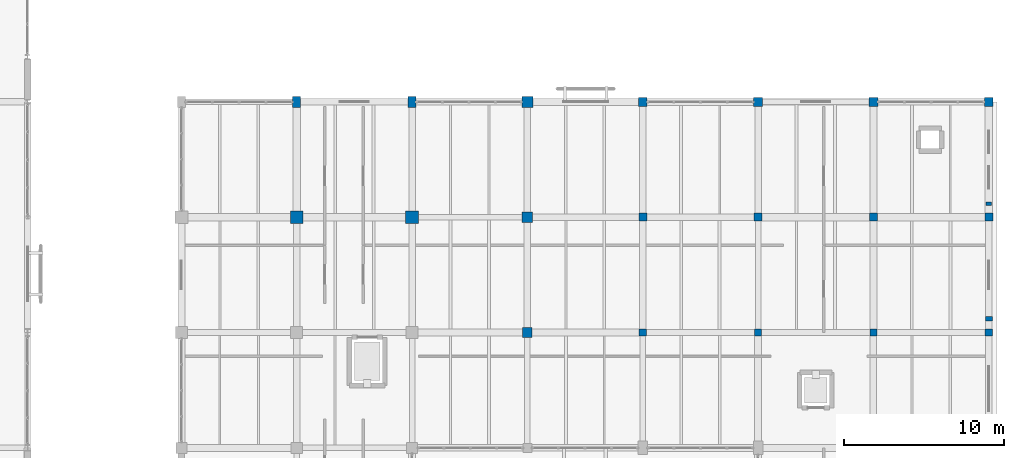
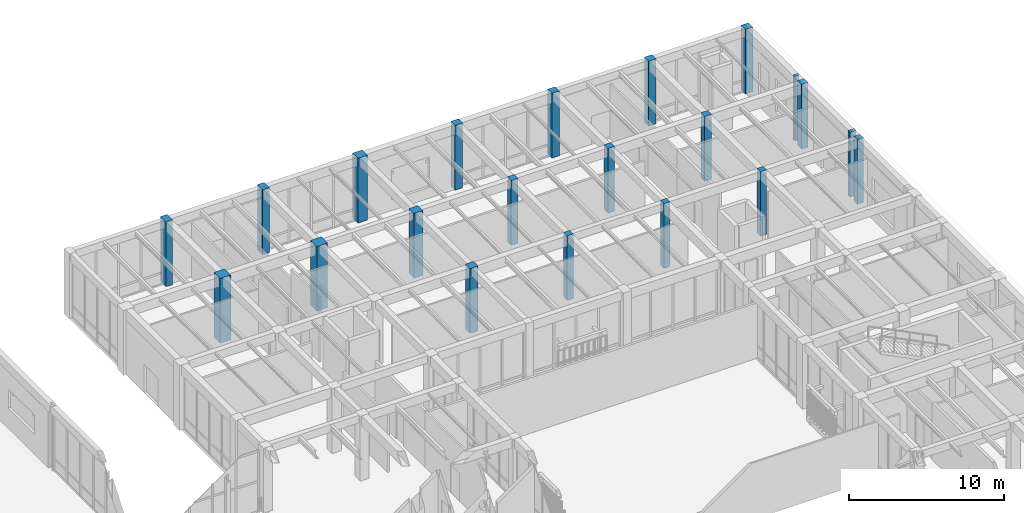
# One storey, part 17 of 169: 21 columns.
"""IFC4 building model written with IfcOpenShell, lengths in metres."""

import ifcopenshell
import ifcopenshell.guid

model = None  # the IFC model being written
_history = None  # IfcOwnerHistory: only IFC2X3 demands one
_inside = {}  # id of a spatial element -> (the spatial element, [elements in it])
_under = {}  # id of a project, library or spatial element -> (it, [spatial elements below it])
_declared = {}  # id of a project -> (the project, [libraries it declares])
_typed = {}  # id of a type object -> (the type object, [elements of that type])
_made_of = {}  # id of a material, layer set ... -> (it, [elements and type objects made of it])


def new_model(schema):
    """Start an empty IFC model of exactly this schema.

    Asked for "IFC4X3", IfcOpenShell would pick the latest addendum, in which some entities
    have other attributes; the version numbers below select the first issue.
    IFC2X3 requires an IfcOwnerHistory on every rooted entity: one is made here for all.
    """
    global model, _history
    if schema == "IFC4X3":
        model = ifcopenshell.file(schema_version=(4, 3, 0, 0))
    else:
        model = ifcopenshell.file(schema=schema)
    _inside.clear()
    _under.clear()
    _declared.clear()
    _typed.clear()
    _made_of.clear()
    _history = None
    if model.schema == "IFC2X3":
        org = make("IfcOrganization", Name="unknown")
        user = make(
            "IfcPersonAndOrganization",
            ThePerson=make("IfcPerson", FamilyName="unknown"),
            TheOrganization=org,
        )
        app = make(
            "IfcApplication",
            ApplicationDeveloper=org,
            Version="unknown",
            ApplicationFullName="unknown",
            ApplicationIdentifier="unknown",
        )
        _history = make(
            "IfcOwnerHistory",
            OwningUser=user,
            OwningApplication=app,
            ChangeAction="ADDED",
            CreationDate=0,
        )
    return model


def make(cls, **values):
    """One entity of the class cls with the attributes given. An attribute that is None is left unset."""
    return model.create_entity(
        cls, **{name: value for name, value in values.items() if value is not None}
    )


def rooted(cls, **values):
    """An entity with a GlobalId (a new one), such as an element, a storey or a relation."""
    return make(cls, GlobalId=ifcopenshell.guid.new(), OwnerHistory=_history, **values)


def si_unit(unit_type, name, prefix=None):
    """IfcSIUnit, for example si_unit("LENGTHUNIT", "METRE", prefix="MILLI")."""
    return make("IfcSIUnit", UnitType=unit_type, Prefix=prefix, Name=name)


def assignment(units):
    """IfcUnitAssignment: the units of a project."""
    return None if units is None else make("IfcUnitAssignment", Units=units)


def point(xyz):
    """IfcCartesianPoint."""
    return None if xyz is None else make("IfcCartesianPoint", Coordinates=xyz)


def direction(xyz):
    """IfcDirection."""
    return None if xyz is None else make("IfcDirection", DirectionRatios=xyz)


def frame(location, z_axis=None, x_axis=None):
    """IfcAxis2Placement3D, a coordinate frame: its origin and axes. An axis left out is left unset."""
    return make(
        "IfcAxis2Placement3D",
        Location=point(location),
        Axis=direction(z_axis),
        RefDirection=direction(x_axis),
    )


def frame_2d(location, x_axis=None):
    """IfcAxis2Placement2D, a coordinate frame in the plane: its origin and x axis."""
    return make(
        "IfcAxis2Placement2D", Location=point(location), RefDirection=direction(x_axis)
    )


def origin():
    """The frame at (0, 0, 0) with its axes left unset."""
    return frame((0.0, 0.0, 0.0))


def origin_2d():
    """The frame at (0, 0) in the plane with its x axis left unset."""
    return frame_2d((0.0, 0.0))


def place(relative_to, where):
    """IfcLocalPlacement: puts the frame where relative to a parent placement (None: the world)."""
    return make(
        "IfcLocalPlacement", PlacementRelTo=relative_to, RelativePlacement=where
    )


def context(
    kind, dimensions, precision=None, world=None, true_north=None, identifier=None
):
    """IfcGeometricRepresentationContext, for example the 3D "Model" context."""
    return make(
        "IfcGeometricRepresentationContext",
        ContextIdentifier=identifier,
        ContextType=kind,
        CoordinateSpaceDimension=dimensions,
        Precision=precision,
        WorldCoordinateSystem=world,
        TrueNorth=true_north,
    )


def subcontext(parent, identifier, kind, view, scale=None):
    """IfcGeometricRepresentationSubContext, for example "Body" below "Model"."""
    return make(
        "IfcGeometricRepresentationSubContext",
        ContextIdentifier=identifier,
        ContextType=kind,
        ParentContext=parent,
        TargetScale=scale,
        TargetView=view,
    )


def project(units=None, contexts=None):
    """IfcProject with its units and contexts."""
    return rooted(
        "IfcProject",
        Name="project",
        RepresentationContexts=contexts,
        UnitsInContext=assignment(units),
    )


def spatial(cls, under=None, at=None, **own):
    """A site, building, storey or space (cls), placed at a placement, below another one or the project."""
    s = rooted(cls, ObjectPlacement=at, **own)
    if under is not None:
        _under.setdefault(under.id(), (under, []))[1].append(s)
    return s


def profile(cls, at=None, kind="AREA", **sizes):
    """A parametric profile (cls). Its sizes go by their IFC names, for example OverallWidth=200.0."""
    return make(cls, ProfileType=kind, Position=at, **sizes)


def rectangle(**sizes):
    """IfcRectangleProfileDef."""
    return profile("IfcRectangleProfileDef", **sizes)


def extrude(swept, where, along, depth):
    """IfcExtrudedAreaSolid: the profile swept, set in the frame where, extruded along a direction by depth."""
    return make(
        "IfcExtrudedAreaSolid",
        SweptArea=swept,
        Position=where,
        ExtrudedDirection=direction(along),
        Depth=depth,
    )


def shape(context_of_items, identifier, shape_type, items):
    """IfcShapeRepresentation: the items that make up one representation, for example the "Body"."""
    return make(
        "IfcShapeRepresentation",
        ContextOfItems=context_of_items,
        RepresentationIdentifier=identifier,
        RepresentationType=shape_type,
        Items=items,
    )


def material(Name=None, Category=None):
    """IfcMaterial."""
    return make("IfcMaterial", Name=Name, Category=Category)


def material_profile(
    of_material, cross_section, Name=None, Category=None, Priority=None
):
    """IfcMaterialProfile: a cross section and its material."""
    return make(
        "IfcMaterialProfile",
        Name=Name,
        Material=of_material,
        Profile=cross_section,
        Priority=Priority,
        Category=Category,
    )


def profile_set(profiles, Name=None, composite=None):
    """IfcMaterialProfileSet."""
    return make(
        "IfcMaterialProfileSet",
        Name=Name,
        MaterialProfiles=profiles,
        CompositeProfile=composite,
    )


def made_of(thing, what):
    """Note that an element or type object is made of a material, layer set ...; save() writes the relation."""
    if what is not None:
        _made_of.setdefault(what.id(), (what, []))[1].append(thing)
    return thing


def type_object(cls, material=None, **own):
    """A type object (cls), such as IfcWallType, which elements share."""
    return made_of(rooted(cls, **own), material)


def element(
    cls,
    number,
    at=None,
    inside=None,
    cuts=None,
    type_object=None,
    material=None,
    context=None,
    identifier="Body",
    shape_type=None,
    held_by="IfcProductDefinitionShape",
    body=None,
    shapes=None,
    **own,
):
    """One element of the class cls, such as IfcWall. Its Tag is "e" and its number.

    at: its placement. inside: the storey or other place that contains it. cuts: it is an
    opening in that element (IfcRelVoidsElement). A single representation is given by context,
    identifier, shape_type and body (its items); several are given by shapes. held_by: the class
    of the entity that holds the representations. save() writes the other relations.
    """
    e = rooted(cls, Tag="e%d" % number, ObjectPlacement=at, **own)
    if body is not None:
        shapes = [shape(context, identifier, shape_type, body)]
    if shapes is not None:
        e.Representation = make(held_by, Representations=shapes)
    if inside is not None:
        _inside.setdefault(inside.id(), (inside, []))[1].append(e)
    if cuts is not None:
        rooted(
            "IfcRelVoidsElement", RelatingBuildingElement=cuts, RelatedOpeningElement=e
        )
    if type_object is not None:
        _typed.setdefault(type_object.id(), (type_object, []))[1].append(e)
    return made_of(e, material)


def aggregate(whole, parts):
    """IfcRelAggregates: a whole, such as a stair, and the parts it consists of."""
    return rooted("IfcRelAggregates", RelatingObject=whole, RelatedObjects=parts)


def save(model, path):
    """Write the relations noted so far, then the file.

    IfcRelAggregates (storeys below a building ...), IfcRelContainedInSpatialStructure (elements
    in a storey), IfcRelDefinesByType, IfcRelAssociatesMaterial and IfcRelDeclares: one each for
    every whole, place, type object, material and project.
    """
    for whole, parts in _under.values():
        aggregate(whole, parts)
    for where, things in _inside.values():
        rooted(
            "IfcRelContainedInSpatialStructure",
            RelatedElements=things,
            RelatingStructure=where,
        )
    for kind, things in _typed.values():
        rooted("IfcRelDefinesByType", RelatedObjects=things, RelatingType=kind)
    for what, things in _made_of.values():
        rooted("IfcRelAssociatesMaterial", RelatedObjects=things, RelatingMaterial=what)
    for by, libraries in _declared.values():
        rooted("IfcRelDeclares", RelatingContext=by, RelatedDefinitions=libraries)
    model.write(path)


model = new_model("IFC4")

# Units and contexts
model_context = context("Model", 3, precision=1e-05, world=origin(), true_north=direction((0.0, 1.0)))
body_context = subcontext(model_context, "Body", "Model", "MODEL_VIEW")
ifc_project = project(units=[si_unit("LENGTHUNIT", "METRE"), si_unit("AREAUNIT", "SQUARE_METRE"), si_unit("VOLUMEUNIT", "CUBIC_METRE"), si_unit("PLANEANGLEUNIT", "RADIAN"), si_unit("MASSUNIT", "GRAM", prefix="KILO")], contexts=[model_context])

# Site, building, storey
site_placement = place(None, origin())
site = spatial("IfcSite", under=ifc_project, at=site_placement, CompositionType="ELEMENT")
building_placement = place(site_placement, origin())
building = spatial("IfcBuilding", under=site, at=building_placement, Name="Mazaris Harbour Polytechnic", CompositionType="ELEMENT")
storey_placement = place(building_placement, origin())
storey = spatial("IfcBuildingStorey", under=building, at=storey_placement, Name="L00", CompositionType="ELEMENT", Elevation=0.0)

# Columns
ifc_material_1 = material(Name="Concrete C35/45", Category="concrete")
ifc_material_profile_1 = material_profile(ifc_material_1, rectangle(XDim=0.320068359375, YDim=0.219970703125, at=origin_2d()), Name="RECT320x220")
ifc_profile_set_1 = profile_set([ifc_material_profile_1], Name="Concrete C35/45")
column_type_1 = type_object("IfcColumnType", Name="Limestone Pilaster 320x220", PredefinedType="PILASTER", material=ifc_profile_set_1)
column_1_placement = place(storey_placement, frame((172.800048828125, 101.64990234375, 0.0), z_axis=(0.0, 0.0, 1.0), x_axis=(1.0, 0.0, 0.0)))
element("IfcColumn", 1, at=column_1_placement, inside=storey, type_object=column_type_1, Name="V5 L00 Giant Order Pilaster 64", PredefinedType="PILASTER", context=body_context, shape_type="SweptSolid", body=[
    extrude(rectangle(XDim=0.320068359375, YDim=0.219970703125, at=origin_2d()), origin(), (0.0, 0.0, 1.0), 5.10009765625),
])
ifc_material_2 = material(Name="Concrete C35/45", Category="concrete")
ifc_material_profile_2 = material_profile(ifc_material_2, rectangle(XDim=0.43994140625, YDim=0.280029296875, at=origin_2d()), Name="RECT440x280")
ifc_profile_set_2 = profile_set([ifc_material_profile_2], Name="Concrete C35/45")
column_type_2 = type_object("IfcColumnType", Name="Limestone Pilaster 440x280", PredefinedType="PILASTER", material=ifc_profile_set_2)
column_2_placement = place(storey_placement, frame((172.800048828125, 94.449951171875, 0.0), z_axis=(0.0, 0.0, 1.0), x_axis=(1.0, 0.0, 0.0)))
element("IfcColumn", 2, at=column_2_placement, inside=storey, type_object=column_type_2, Name="V5 L00 Giant Order Pilaster 63", PredefinedType="PILASTER", context=body_context, shape_type="SweptSolid", body=[
    extrude(rectangle(XDim=0.43994140625, YDim=0.280029296875, at=origin_2d()), origin(), (0.0, 0.0, 1.0), 5.10009765625),
])
ifc_material_3 = material(Name="Concrete C40/50", Category="concrete")
ifc_material_profile_3 = material_profile(ifc_material_3, rectangle(XDim=0.449951171875, YDim=0.449951171875, at=origin_2d()), Name="RECT450x450")
ifc_profile_set_3 = profile_set([ifc_material_profile_3], Name="Concrete C40/50")
column_type_3 = type_object("IfcColumnType", Name="RC Column 450x450", PredefinedType="COLUMN", material=ifc_profile_set_3)
for number, where, z_axis, x_axis, name in (
    (3, (151.199951171875, 93.60009765625, 0.0), (0.0, 0.0, 1.0), (1.0, 0.0, 0.0), "V5 L00 Column 1219"),
    (4, (158.39990234375, 93.60009765625, 0.0), (0.0, 0.0, 1.0), (1.0, 0.0, 0.0), "V5 L00 Column 1229"),
    (5, (165.60009765625, 93.60009765625, 0.0), (0.0, 0.0, 1.0), (1.0, 0.0, 0.0), "V5 L00 Column 1239"),
):
    element("IfcColumn", number, at=place(storey_placement, frame(where, z_axis=z_axis, x_axis=x_axis)), inside=storey, type_object=column_type_3, Name=name, PredefinedType="COLUMN", context=body_context, shape_type="SweptSolid", body=[
        extrude(rectangle(XDim=0.449951171875, YDim=0.449951171875, at=origin_2d()), origin(), (0.0, 0.0, 1.0), 5.10009765625),
    ])
ifc_material_4 = material(Name="Concrete C40/50", Category="concrete")
ifc_material_profile_4 = material_profile(ifc_material_4, rectangle(XDim=0.449951171875, YDim=0.449951171875, at=origin_2d()), Name="RECT450x450")
ifc_profile_set_4 = profile_set([ifc_material_profile_4], Name="Concrete C40/50")
column_type_4 = type_object("IfcColumnType", Name="RC Column 450x450 Exterior", PredefinedType="COLUMN", material=ifc_profile_set_4)
column_3_placement = place(storey_placement, frame((172.800048828125, 93.60009765625, 0.0), z_axis=(0.0, 0.0, 1.0), x_axis=(1.0, 0.0, 0.0)))
element("IfcColumn", 6, at=column_3_placement, inside=storey, type_object=column_type_4, Name="V5 L00 Column 1249", PredefinedType="COLUMN", context=body_context, shape_type="SweptSolid", body=[
    extrude(rectangle(XDim=0.449951171875, YDim=0.449951171875, at=origin_2d()), origin(), (0.0, 0.0, 1.0), 5.10009765625),
])
ifc_material_5 = material(Name="Concrete C40/50", Category="concrete")
ifc_material_profile_5 = material_profile(ifc_material_5, rectangle(XDim=0.5, YDim=0.5, at=origin_2d()), Name="RECT500x500")
ifc_profile_set_5 = profile_set([ifc_material_profile_5], Name="Concrete C40/50")
column_type_5 = type_object("IfcColumnType", Name="RC Column 500x500", PredefinedType="COLUMN", material=ifc_profile_set_5)
for number, where, z_axis, x_axis, name in (
    (7, (151.199951171875, 100.800048828125, 0.0), (0.0, 0.0, 1.0), (1.0, 0.0, 0.0), "V5 L00 Column 1220"),
    (8, (158.39990234375, 100.800048828125, 0.0), (0.0, 0.0, 1.0), (1.0, 0.0, 0.0), "V5 L00 Column 1230"),
    (9, (165.60009765625, 100.800048828125, 0.0), (0.0, 0.0, 1.0), (1.0, 0.0, 0.0), "V5 L00 Column 1240"),
):
    element("IfcColumn", number, at=place(storey_placement, frame(where, z_axis=z_axis, x_axis=x_axis)), inside=storey, type_object=column_type_5, Name=name, PredefinedType="COLUMN", context=body_context, shape_type="SweptSolid", body=[
        extrude(rectangle(XDim=0.5, YDim=0.5, at=origin_2d()), origin(), (0.0, 0.0, 1.0), 5.10009765625),
    ])
ifc_material_6 = material(Name="Concrete C40/50", Category="concrete")
ifc_material_profile_6 = material_profile(ifc_material_6, rectangle(XDim=0.5, YDim=0.5, at=origin_2d()), Name="RECT500x500")
ifc_profile_set_6 = profile_set([ifc_material_profile_6], Name="Concrete C40/50")
column_type_6 = type_object("IfcColumnType", Name="RC Column 500x500 Exterior", PredefinedType="COLUMN", material=ifc_profile_set_6)
column_4_placement = place(storey_placement, frame((172.800048828125, 100.800048828125, 0.0), z_axis=(0.0, 0.0, 1.0), x_axis=(1.0, 0.0, 0.0)))
element("IfcColumn", 10, at=column_4_placement, inside=storey, type_object=column_type_6, Name="V5 L00 Column 1250", PredefinedType="COLUMN", context=body_context, shape_type="SweptSolid", body=[
    extrude(rectangle(XDim=0.5, YDim=0.5, at=origin_2d()), origin(), (0.0, 0.0, 1.0), 5.10009765625),
])
ifc_material_7 = material(Name="Concrete C40/50", Category="concrete")
ifc_material_profile_7 = material_profile(ifc_material_7, rectangle(XDim=0.5, YDim=0.699951171875, at=origin_2d()), Name="RECT500x700")
ifc_profile_set_7 = profile_set([ifc_material_profile_7], Name="Concrete C40/50")
column_type_7 = type_object("IfcColumnType", Name="RC Column 500x700 Exterior", PredefinedType="COLUMN", material=ifc_profile_set_7)
for number, where, z_axis, x_axis, name in (
    (11, (129.60009765625, 108.0, 0.0), (0.0, 0.0, 1.0), (1.0, 0.0, 0.0), "V5 L00 Column 1197"),
    (12, (136.800048828125, 108.0, 0.0), (0.0, 0.0, 1.0), (1.0, 0.0, 0.0), "V5 L00 Column 1207"),
):
    element("IfcColumn", number, at=place(storey_placement, frame(where, z_axis=z_axis, x_axis=x_axis)), inside=storey, type_object=column_type_7, Name=name, PredefinedType="COLUMN", context=body_context, shape_type="SweptSolid", body=[
        extrude(rectangle(XDim=0.5, YDim=0.699951171875, at=origin_2d()), origin(), (0.0, 0.0, 1.0), 5.10009765625),
    ])
ifc_material_8 = material(Name="Concrete C40/50", Category="concrete")
ifc_material_profile_8 = material_profile(ifc_material_8, rectangle(XDim=0.550048828125, YDim=0.550048828125, at=origin_2d()), Name="RECT550x550")
ifc_profile_set_8 = profile_set([ifc_material_profile_8], Name="Concrete C40/50")
column_type_8 = type_object("IfcColumnType", Name="RC Column 550x550 Exterior", PredefinedType="COLUMN", material=ifc_profile_set_8)
for number, where, z_axis, x_axis, name in (
    (13, (151.199951171875, 108.0, 0.0), (0.0, 0.0, 1.0), (1.0, 0.0, 0.0), "V5 L00 Column 1221"),
    (14, (158.39990234375, 108.0, 0.0), (0.0, 0.0, 1.0), (1.0, 0.0, 0.0), "V5 L00 Column 1231"),
    (15, (165.60009765625, 108.0, 0.0), (0.0, 0.0, 1.0), (1.0, 0.0, 0.0), "V5 L00 Column 1241"),
    (16, (172.800048828125, 108.0, 0.0), (0.0, 0.0, 1.0), (1.0, 0.0, 0.0), "V5 L00 Column 1251"),
):
    element("IfcColumn", number, at=place(storey_placement, frame(where, z_axis=z_axis, x_axis=x_axis)), inside=storey, type_object=column_type_8, Name=name, PredefinedType="COLUMN", context=body_context, shape_type="SweptSolid", body=[
        extrude(rectangle(XDim=0.550048828125, YDim=0.550048828125, at=origin_2d()), origin(), (0.0, 0.0, 1.0), 5.10009765625),
    ])
ifc_material_9 = material(Name="Concrete C40/50", Category="concrete")
ifc_material_profile_9 = material_profile(ifc_material_9, rectangle(XDim=0.60009765625, YDim=0.60009765625, at=origin_2d()), Name="RECT600x600")
ifc_profile_set_9 = profile_set([ifc_material_profile_9], Name="Concrete C40/50")
column_type_9 = type_object("IfcColumnType", Name="RC Column 600x600", PredefinedType="COLUMN", material=ifc_profile_set_9)
column_5_placement = place(storey_placement, frame((144.0, 93.60009765625, 0.0), z_axis=(0.0, 0.0, 1.0), x_axis=(1.0, 0.0, 0.0)))
element("IfcColumn", 17, at=column_5_placement, inside=storey, type_object=column_type_9, Name="V5 L00 Column 1212", PredefinedType="COLUMN", context=body_context, shape_type="SweptSolid", body=[
    extrude(rectangle(XDim=0.60009765625, YDim=0.60009765625, at=origin_2d()), origin(), (0.0, 0.0, 1.0), 5.10009765625),
])
ifc_material_10 = material(Name="Concrete C40/50", Category="concrete")
ifc_material_profile_10 = material_profile(ifc_material_10, rectangle(XDim=0.64990234375, YDim=0.64990234375, at=origin_2d()), Name="RECT650x650")
ifc_profile_set_10 = profile_set([ifc_material_profile_10], Name="Concrete C40/50")
column_type_10 = type_object("IfcColumnType", Name="RC Column 650x650", PredefinedType="COLUMN", material=ifc_profile_set_10)
column_6_placement = place(storey_placement, frame((144.0, 100.800048828125, 0.0), z_axis=(0.0, 0.0, 1.0), x_axis=(1.0, 0.0, 0.0)))
element("IfcColumn", 18, at=column_6_placement, inside=storey, type_object=column_type_10, Name="V5 L00 Column 1213", PredefinedType="COLUMN", context=body_context, shape_type="SweptSolid", body=[
    extrude(rectangle(XDim=0.64990234375, YDim=0.64990234375, at=origin_2d()), origin(), (0.0, 0.0, 1.0), 5.10009765625),
])
ifc_material_11 = material(Name="Concrete C40/50", Category="concrete")
ifc_material_profile_11 = material_profile(ifc_material_11, rectangle(XDim=0.699951171875, YDim=0.699951171875, at=origin_2d()), Name="RECT700x700")
ifc_profile_set_11 = profile_set([ifc_material_profile_11], Name="Concrete C40/50")
column_type_11 = type_object("IfcColumnType", Name="RC Column 700x700 Exterior", PredefinedType="COLUMN", material=ifc_profile_set_11)
column_7_placement = place(storey_placement, frame((144.0, 108.0, 0.0), z_axis=(0.0, 0.0, 1.0), x_axis=(1.0, 0.0, 0.0)))
element("IfcColumn", 19, at=column_7_placement, inside=storey, type_object=column_type_11, Name="V5 L00 Column 1214", PredefinedType="COLUMN", context=body_context, shape_type="SweptSolid", body=[
    extrude(rectangle(XDim=0.699951171875, YDim=0.699951171875, at=origin_2d()), origin(), (0.0, 0.0, 1.0), 5.10009765625),
])
ifc_material_12 = material(Name="Concrete C40/50", Category="concrete")
ifc_material_profile_12 = material_profile(ifc_material_12, rectangle(XDim=0.800048828125, YDim=0.800048828125, at=origin_2d()), Name="RECT800x800")
ifc_profile_set_12 = profile_set([ifc_material_profile_12], Name="Concrete C40/50")
column_type_12 = type_object("IfcColumnType", Name="RC Column 800x800", PredefinedType="COLUMN", material=ifc_profile_set_12)
for number, where, z_axis, x_axis, name in (
    (20, (129.60009765625, 100.800048828125, 0.0), (0.0, 0.0, 1.0), (1.0, 0.0, 0.0), "V5 L00 Column 1196"),
    (21, (136.800048828125, 100.800048828125, 0.0), (0.0, 0.0, 1.0), (1.0, 0.0, 0.0), "V5 L00 Column 1206"),
):
    element("IfcColumn", number, at=place(storey_placement, frame(where, z_axis=z_axis, x_axis=x_axis)), inside=storey, type_object=column_type_12, Name=name, PredefinedType="COLUMN", context=body_context, shape_type="SweptSolid", body=[
        extrude(rectangle(XDim=0.800048828125, YDim=0.800048828125, at=origin_2d()), origin(), (0.0, 0.0, 1.0), 5.10009765625),
    ])

save(model, "model.ifc")
